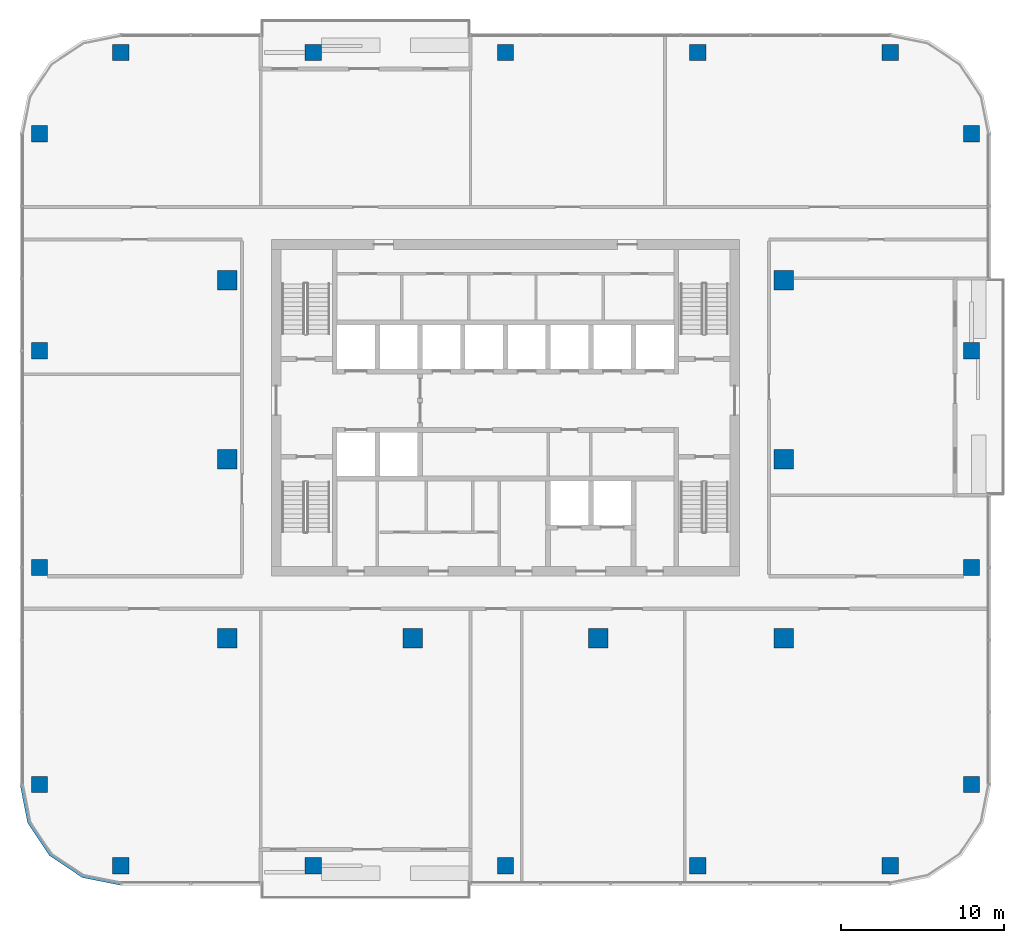
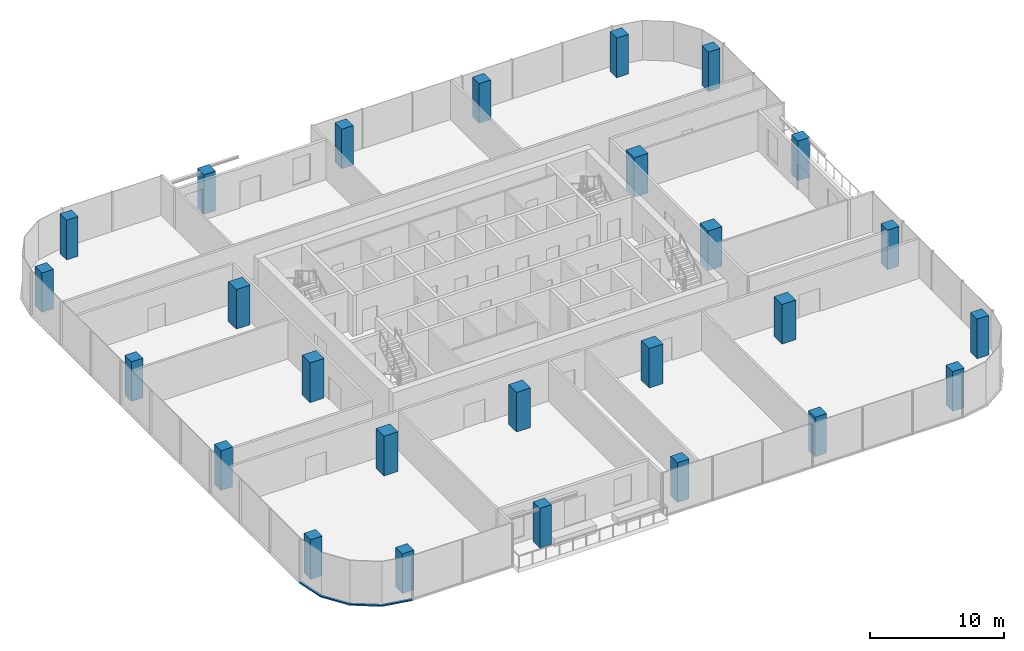
# One storey, part 1 of 13: 26 columns, 1 member, 1 element without a shape of its own.
"""IFC4 building model written with IfcOpenShell, lengths in metres."""

from ifc_helpers import new_model, si_unit, direction, frame, origin, origin_2d, place, context, subcontext, project, spatial, polyline, rectangle, outline, extrude, material, material_profile, profile_set, type_object, element, aggregate, save


model = new_model("IFC4")

# Units and contexts
model_context = context("Model", 3, precision=1e-05, world=origin(), true_north=direction((0.0, 1.0)))
body_context = subcontext(model_context, "Body", "Model", "MODEL_VIEW")
ifc_project = project(units=[si_unit("LENGTHUNIT", "METRE"), si_unit("AREAUNIT", "SQUARE_METRE"), si_unit("VOLUMEUNIT", "CUBIC_METRE"), si_unit("PLANEANGLEUNIT", "RADIAN"), si_unit("MASSUNIT", "GRAM", prefix="KILO")], contexts=[model_context])

# Site, building, storey
site_placement = place(None, origin())
site = spatial("IfcSite", under=ifc_project, at=site_placement, CompositionType="ELEMENT")
building_placement = place(site_placement, origin())
building = spatial("IfcBuilding", under=site, at=building_placement, Name="Mopane Tessera Tower", CompositionType="ELEMENT")
storey_placement = place(building_placement, frame((0.0, 0.0, 295.39990234375)))
storey = spatial("IfcBuildingStorey", under=building, at=storey_placement, Name="L64", CompositionType="ELEMENT", Elevation=295.39990234375)

# Columns
ifc_material_1 = material(Name="Concrete C40/50", Category="concrete")
ifc_material_profile_1 = material_profile(ifc_material_1, rectangle(XDim=1.199951171875, YDim=1.199951171875, at=origin_2d()))
ifc_profile_set_1 = profile_set([ifc_material_profile_1], Name="Concrete C40/50")
column_type_1 = type_object("IfcColumnType", Name="Interior column 1200 x 1200 C40/50", PredefinedType="COLUMN", material=ifc_profile_set_1)
for number, where, z_axis, x_axis, name in (
    (1, (-17.10009765625, -11.0, 0.0), (0.0, 0.0, 1.0), (1.0, 0.0, 0.0), "Interior column I1A L64"),
    (2, (-17.10009765625, 0.0, 0.0), (0.0, 0.0, 1.0), (1.0, 0.0, 0.0), "Interior column I1B L64"),
    (3, (-17.10009765625, 11.0, 0.0), (0.0, 0.0, 1.0), (1.0, 0.0, 0.0), "Interior column I1C L64"),
    (4, (-5.699951171875, -11.0, 0.0), (0.0, 0.0, 1.0), (1.0, 0.0, 0.0), "Interior column I2A L64"),
    (5, (5.699951171875, -11.0, 0.0), (0.0, 0.0, 1.0), (1.0, 0.0, 0.0), "Interior column I3A L64"),
    (6, (17.10009765625, -11.0, 0.0), (0.0, 0.0, 1.0), (1.0, 0.0, 0.0), "Interior column I4A L64"),
    (7, (17.10009765625, 0.0, 0.0), (0.0, 0.0, 1.0), (1.0, 0.0, 0.0), "Interior column I4B L64"),
    (8, (17.10009765625, 11.0, 0.0), (0.0, 0.0, 1.0), (1.0, 0.0, 0.0), "Interior column I4C L64"),
):
    element("IfcColumn", number, at=place(storey_placement, frame(where, z_axis=z_axis, x_axis=x_axis)), inside=storey, type_object=column_type_1, Name=name, PredefinedType="COLUMN", context=body_context, shape_type="SweptSolid", body=[
        extrude(rectangle(XDim=1.199951171875, YDim=1.199951171875, at=origin_2d()), origin(), (0.0, 0.0, 1.0), 3.60009765625),
    ])
ifc_material_2 = material(Name="Concrete C40/50", Category="concrete")
ifc_material_profile_2 = material_profile(ifc_material_2, rectangle(XDim=1.0, YDim=1.0, at=origin_2d()))
ifc_profile_set_2 = profile_set([ifc_material_profile_2], Name="Concrete C40/50")
column_type_2 = type_object("IfcColumnType", Name="Ring column 1000 x 1000 C40/50", PredefinedType="COLUMN", material=ifc_profile_set_2)
for number, where, z_axis, x_axis, name in (
    (9, (-23.64990234375, -25.0, 0.0), (0.0, 0.0, 1.0), (1.0, 0.0, 0.0), "Ring column S0 L64"),
    (10, (-11.824951171875, -25.0, 0.0), (0.0, 0.0, 1.0), (1.0, 0.0, 0.0), "Ring column S1 L64"),
    (11, (0.0, -25.0, 0.0), (0.0, 0.0, 1.0), (1.0, 0.0, 0.0), "Ring column S2 L64"),
    (12, (11.824951171875, -25.0, 0.0), (0.0, 0.0, 1.0), (1.0, 0.0, 0.0), "Ring column S3 L64"),
    (13, (23.64990234375, -25.0, 0.0), (0.0, 0.0, 1.0), (1.0, 0.0, 0.0), "Ring column S4 L64"),
    (14, (28.64990234375, -20.0, 0.0), (0.0, 0.0, 1.0), (1.0, 0.0, 0.0), "Ring column E0 L64"),
    (15, (28.64990234375, -6.666748046875, 0.0), (0.0, 0.0, 1.0), (1.0, 0.0, 0.0), "Ring column E1 L64"),
    (16, (28.64990234375, 6.666748046875, 0.0), (0.0, 0.0, 1.0), (1.0, 0.0, 0.0), "Ring column E2 L64"),
    (17, (28.64990234375, 20.0, 0.0), (0.0, 0.0, 1.0), (1.0, 0.0, 0.0), "Ring column E3 L64"),
    (18, (23.64990234375, 25.0, 0.0), (0.0, 0.0, 1.0), (1.0, 0.0, 0.0), "Ring column N0 L64"),
    (19, (11.824951171875, 25.0, 0.0), (0.0, 0.0, 1.0), (1.0, 0.0, 0.0), "Ring column N1 L64"),
    (20, (0.0, 25.0, 0.0), (0.0, 0.0, 1.0), (1.0, 0.0, 0.0), "Ring column N2 L64"),
    (21, (-11.824951171875, 25.0, 0.0), (0.0, 0.0, 1.0), (1.0, 0.0, 0.0), "Ring column N3 L64"),
    (22, (-23.64990234375, 25.0, 0.0), (0.0, 0.0, 1.0), (1.0, 0.0, 0.0), "Ring column N4 L64"),
    (23, (-28.64990234375, 20.0, 0.0), (0.0, 0.0, 1.0), (1.0, 0.0, 0.0), "Ring column W0 L64"),
    (24, (-28.64990234375, 6.666748046875, 0.0), (0.0, 0.0, 1.0), (1.0, 0.0, 0.0), "Ring column W1 L64"),
    (25, (-28.64990234375, -6.666748046875, 0.0), (0.0, 0.0, 1.0), (1.0, 0.0, 0.0), "Ring column W2 L64"),
    (26, (-28.64990234375, -20.0, 0.0), (0.0, 0.0, 1.0), (1.0, 0.0, 0.0), "Ring column W3 L64"),
):
    element("IfcColumn", number, at=place(storey_placement, frame(where, z_axis=z_axis, x_axis=x_axis)), inside=storey, type_object=column_type_2, Name=name, PredefinedType="COLUMN", context=body_context, shape_type="SweptSolid", body=[
        extrude(rectangle(XDim=1.0, YDim=1.0, at=origin_2d()), origin(), (0.0, 0.0, 1.0), 3.60009765625),
    ])

# Curtain wall, member
ifc_material_3 = material(Name="Aluminium frame", Category="aluminium")
curtain_wall_type = type_object("IfcCurtainWallType", Name="Unitised curtain wall", PredefinedType="NOTDEFINED", material=ifc_material_3)
curtain_wall_placement = place(storey_placement, origin())
curtain_wall = element("IfcCurtainWall", 27, at=curtain_wall_placement, inside=storey, type_object=curtain_wall_type, Name="e:cw:L64:CW", PredefinedType="NOTDEFINED")
ifc_material_4 = material(Name="Aluminium frame", Category="aluminium")
ifc_material_profile_3 = material_profile(ifc_material_4, rectangle(XDim=0.199951171875, YDim=0.1201171875, at=origin_2d()))
ifc_profile_set_3 = profile_set([ifc_material_profile_3], Name="Aluminium frame")
member_type = type_object("IfcMemberType", Name="Aluminium transom 200 x 120", PredefinedType="USERDEFINED", material=ifc_profile_set_3)
member_placement = place(storey_placement, frame((0.0, 0.0, -0.39990234375)))
member = element("IfcMember", 28, at=member_placement, type_object=member_type, Name="e:cw:L64:CW:tr", ObjectType="TRANSOM", PredefinedType="USERDEFINED", context=body_context, shape_type="SweptSolid", body=[
    extrude(outline(polyline([(-29.64990234375, -20.0), (-29.193359375, -22.296142578125), (-27.892578125, -24.24267578125), (-25.946044921875, -25.543212890625), (-23.64990234375, -26.0), (-23.64990234375, -26.199951171875), (-26.022705078125, -25.72802734375), (-28.0341796875, -24.384033203125), (-29.378173828125, -22.37255859375), (-29.85009765625, -20.0), (-29.64990234375, -20.0)])), origin(), (0.0, 0.0, 1.0), 0.1201171875),
])
aggregate(curtain_wall, [member])

save(model, "model.ifc")
